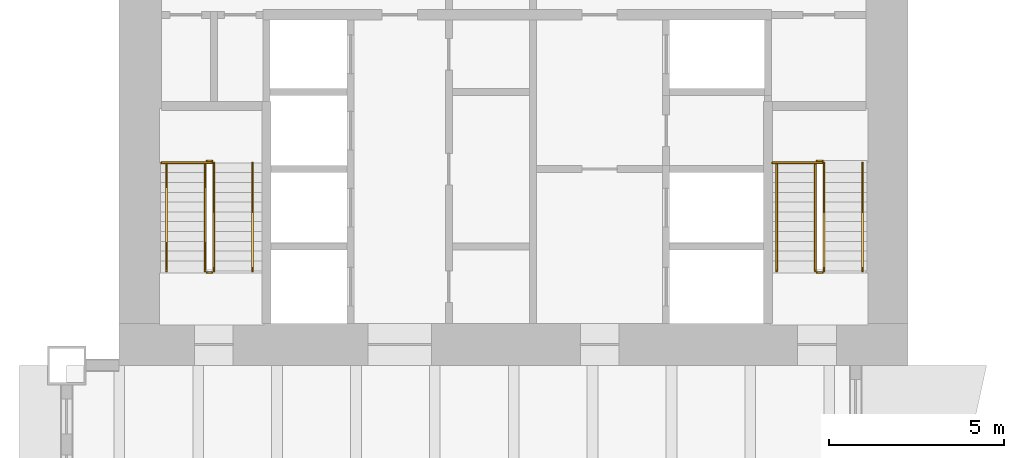
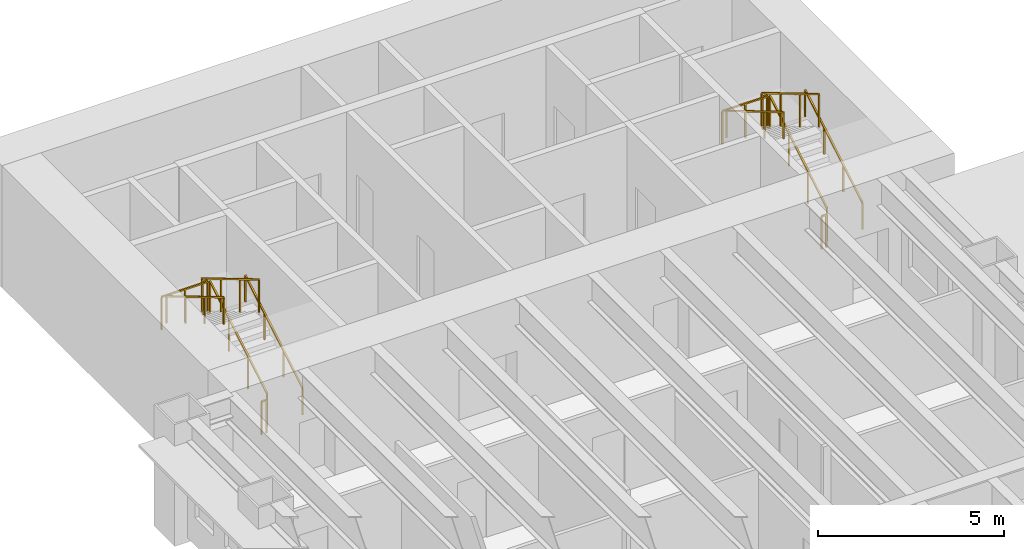
# One storey, part 17 of 17: 14 railings.
"""IFC4 building model written with IfcOpenShell, lengths in metres."""

from ifc_helpers import new_model, si_unit, direction, frame, origin, origin_2d, place, context, subcontext, project, spatial, rectangle, extrude, material, type_object, element, save


model = new_model("IFC4")

# Units and contexts
model_context = context("Model", 3, precision=1e-05, world=origin(), true_north=direction((0.0, 1.0)))
body_context = subcontext(model_context, "Body", "Model", "MODEL_VIEW")
ifc_project = project(units=[si_unit("LENGTHUNIT", "METRE"), si_unit("AREAUNIT", "SQUARE_METRE"), si_unit("VOLUMEUNIT", "CUBIC_METRE"), si_unit("PLANEANGLEUNIT", "RADIAN"), si_unit("MASSUNIT", "GRAM", prefix="KILO")], contexts=[model_context])

# Site, building, storey
site_placement = place(None, origin())
site = spatial("IfcSite", under=ifc_project, at=site_placement, CompositionType="ELEMENT")
building_placement = place(site_placement, origin())
building = spatial("IfcBuilding", under=site, at=building_placement, Name="Sennacour Bend Tower", CompositionType="ELEMENT")
storey_placement = place(building_placement, frame((0.0, 0.0, 49.0)))
storey = spatial("IfcBuildingStorey", under=building, at=storey_placement, Name="L10", CompositionType="ELEMENT", Elevation=49.0)

# Railings
ifc_material = material(Name="Stainless steel", Category="steel")
railing_type_1 = type_object("IfcRailingType", Name="RL-GUARD-1100", PredefinedType="GUARDRAIL", material=ifc_material)
railing_1_placement = place(storey_placement, frame((2.699951171875, 38.699951171875, 0.166748046875)))
element("IfcRailing", 1, at=railing_1_placement, inside=storey, type_object=railing_type_1, Name="L10 SB1 stair guard 1", PredefinedType="GUARDRAIL", context=body_context, shape_type="SweptSolid", body=[
    extrude(rectangle(XDim=0.048095703125, YDim=0.048095703125, at=origin_2d()), frame((0.0, 0.0, 1.076171875), z_axis=(0.0, 0.859308565015, 0.511457515432), x_axis=(-1.0, 0.0, 0.0)), (0.0, 0.0, 1.0), 3.58447265625),
    extrude(rectangle(XDim=0.0419921875, YDim=0.0419921875, at=origin_2d()), origin(), (0.0, 0.0, 1.0), 1.052001953125),
    extrude(rectangle(XDim=0.0419921875, YDim=0.0419921875, at=origin_2d()), frame((0.0, 1.026611328125, 0.611083984375)), (0.0, 0.0, 1.0), 1.052001953125),
    extrude(rectangle(XDim=0.0419921875, YDim=0.0419921875, at=origin_2d()), frame((0.0, 2.053466796875, 1.22216796875)), (0.0, 0.0, 1.0), 1.052001953125),
    extrude(rectangle(XDim=0.0419921875, YDim=0.0419921875, at=origin_2d()), frame((0.0, 3.080078125, 1.833251953125)), (0.0, 0.0, 1.0), 1.052001953125),
])
railing_2_placement = place(storey_placement, frame((2.64990234375, 41.830078125, 2.0)))
element("IfcRailing", 2, at=railing_2_placement, inside=storey, type_object=railing_type_1, Name="L10 SB1 stair guard 2", PredefinedType="GUARDRAIL", context=body_context, shape_type="SweptSolid", body=[
    extrude(rectangle(XDim=0.048095703125, YDim=0.048095703125, at=origin_2d()), frame((0.0, 0.0, 1.076171875), z_axis=(-1.0, 0.0, 0.0), x_axis=(0.0, -1.0, 0.0)), (0.0, 0.0, 1.0), 0.14990234375),
    extrude(rectangle(XDim=0.0419921875, YDim=0.0419921875, at=origin_2d()), origin(), (0.0, 0.0, 1.0), 1.052001953125),
    extrude(rectangle(XDim=0.0419921875, YDim=0.0419921875, at=origin_2d()), frame((-0.14990234375, 0.0, 0.0)), (0.0, 0.0, 1.0), 1.052001953125),
])
railing_3_placement = place(storey_placement, frame((2.449951171875, 41.780029296875, 2.166748046875)))
element("IfcRailing", 3, at=railing_3_placement, inside=storey, type_object=railing_type_1, Name="L10 SB1 stair guard 4", PredefinedType="GUARDRAIL", context=body_context, shape_type="SweptSolid", body=[
    extrude(rectangle(XDim=0.048095703125, YDim=0.048095703125, at=origin_2d()), frame((0.0, 0.0, 1.076171875), z_axis=(0.0, -0.859308565015, 0.511457515432), x_axis=(1.0, 0.0, 0.0)), (0.0, 0.0, 1.0), 3.58447265625),
    extrude(rectangle(XDim=0.0419921875, YDim=0.0419921875, at=origin_2d()), origin(), (0.0, 0.0, 1.0), 1.052001953125),
    extrude(rectangle(XDim=0.0419921875, YDim=0.0419921875, at=origin_2d()), frame((0.0, -1.026611328125, 0.611083984375)), (0.0, 0.0, 1.0), 1.052001953125),
    extrude(rectangle(XDim=0.0419921875, YDim=0.0419921875, at=origin_2d()), frame((0.0, -2.053466796875, 1.22216796875)), (0.0, 0.0, 1.0), 1.052001953125),
    extrude(rectangle(XDim=0.0419921875, YDim=0.0419921875, at=origin_2d()), frame((0.0, -3.080078125, 1.833251953125)), (0.0, 0.0, 1.0), 1.052001953125),
])
railing_4_placement = place(storey_placement, frame((2.64990234375, 38.64990234375, 0.0)))
element("IfcRailing", 4, at=railing_4_placement, inside=storey, type_object=railing_type_1, Name="L10 SB1 stair guard 5", PredefinedType="GUARDRAIL", context=body_context, shape_type="SweptSolid", body=[
    extrude(rectangle(XDim=0.048095703125, YDim=0.048095703125, at=origin_2d()), frame((0.0, 0.0, 1.076171875), z_axis=(-1.0, 0.0, 0.0), x_axis=(0.0, -1.0, 0.0)), (0.0, 0.0, 1.0), 0.14990234375),
    extrude(rectangle(XDim=0.0419921875, YDim=0.0419921875, at=origin_2d()), origin(), (0.0, 0.0, 1.0), 1.052001953125),
    extrude(rectangle(XDim=0.0419921875, YDim=0.0419921875, at=origin_2d()), frame((-0.14990234375, 0.0, 0.0)), (0.0, 0.0, 1.0), 1.052001953125),
])
railing_5_placement = place(storey_placement, frame((2.64990234375, 41.780029296875, 2.0)))
element("IfcRailing", 5, at=railing_5_placement, inside=storey, type_object=railing_type_1, Name="L10 SB1 landing edge guard 29", PredefinedType="GUARDRAIL", context=body_context, shape_type="SweptSolid", body=[
    extrude(rectangle(XDim=0.048095703125, YDim=0.048095703125, at=origin_2d()), frame((0.0, 0.0, 1.076171875), z_axis=(-1.0, 0.0, 0.0), x_axis=(0.0, -1.0, 0.0)), (0.0, 0.0, 1.0), 1.449951171875),
    extrude(rectangle(XDim=0.0419921875, YDim=0.0419921875, at=origin_2d()), origin(), (0.0, 0.0, 1.0), 1.052001953125),
    extrude(rectangle(XDim=0.0419921875, YDim=0.0419921875, at=origin_2d()), frame((-0.72509765625, 0.0, 0.0)), (0.0, 0.0, 1.0), 1.052001953125),
    extrude(rectangle(XDim=0.0419921875, YDim=0.0419921875, at=origin_2d()), frame((-1.449951171875, 0.0, 0.0)), (0.0, 0.0, 1.0), 1.052001953125),
])
railing_6_placement = place(storey_placement, frame((20.10009765625, 38.699951171875, 0.166748046875)))
element("IfcRailing", 6, at=railing_6_placement, inside=storey, type_object=railing_type_1, Name="L10 SB2 stair guard 1", PredefinedType="GUARDRAIL", context=body_context, shape_type="SweptSolid", body=[
    extrude(rectangle(XDim=0.048095703125, YDim=0.048095703125, at=origin_2d()), frame((0.0, 0.0, 1.076171875), z_axis=(0.0, 0.859308565015, 0.511457515432), x_axis=(-1.0, 0.0, 0.0)), (0.0, 0.0, 1.0), 3.58447265625),
    extrude(rectangle(XDim=0.0419921875, YDim=0.0419921875, at=origin_2d()), origin(), (0.0, 0.0, 1.0), 1.052001953125),
    extrude(rectangle(XDim=0.0419921875, YDim=0.0419921875, at=origin_2d()), frame((0.0, 1.026611328125, 0.611083984375)), (0.0, 0.0, 1.0), 1.052001953125),
    extrude(rectangle(XDim=0.0419921875, YDim=0.0419921875, at=origin_2d()), frame((0.0, 2.053466796875, 1.22216796875)), (0.0, 0.0, 1.0), 1.052001953125),
    extrude(rectangle(XDim=0.0419921875, YDim=0.0419921875, at=origin_2d()), frame((0.0, 3.080078125, 1.833251953125)), (0.0, 0.0, 1.0), 1.052001953125),
])
railing_7_placement = place(storey_placement, frame((20.050048828125, 41.830078125, 2.0)))
element("IfcRailing", 7, at=railing_7_placement, inside=storey, type_object=railing_type_1, Name="L10 SB2 stair guard 2", PredefinedType="GUARDRAIL", context=body_context, shape_type="SweptSolid", body=[
    extrude(rectangle(XDim=0.048095703125, YDim=0.048095703125, at=origin_2d()), frame((0.0, 0.0, 1.076171875), z_axis=(-1.0, 0.0, 0.0), x_axis=(0.0, -1.0, 0.0)), (0.0, 0.0, 1.0), 0.150146484375),
    extrude(rectangle(XDim=0.0419921875, YDim=0.0419921875, at=origin_2d()), origin(), (0.0, 0.0, 1.0), 1.052001953125),
    extrude(rectangle(XDim=0.0419921875, YDim=0.0419921875, at=origin_2d()), frame((-0.150146484375, 0.0, 0.0)), (0.0, 0.0, 1.0), 1.052001953125),
])
railing_8_placement = place(storey_placement, frame((19.85009765625, 41.780029296875, 2.166748046875)))
element("IfcRailing", 8, at=railing_8_placement, inside=storey, type_object=railing_type_1, Name="L10 SB2 stair guard 4", PredefinedType="GUARDRAIL", context=body_context, shape_type="SweptSolid", body=[
    extrude(rectangle(XDim=0.048095703125, YDim=0.048095703125, at=origin_2d()), frame((0.0, 0.0, 1.076171875), z_axis=(0.0, -0.859308565015, 0.511457515432), x_axis=(1.0, 0.0, 0.0)), (0.0, 0.0, 1.0), 3.58447265625),
    extrude(rectangle(XDim=0.0419921875, YDim=0.0419921875, at=origin_2d()), origin(), (0.0, 0.0, 1.0), 1.052001953125),
    extrude(rectangle(XDim=0.0419921875, YDim=0.0419921875, at=origin_2d()), frame((0.0, -1.026611328125, 0.611083984375)), (0.0, 0.0, 1.0), 1.052001953125),
    extrude(rectangle(XDim=0.0419921875, YDim=0.0419921875, at=origin_2d()), frame((0.0, -2.053466796875, 1.22216796875)), (0.0, 0.0, 1.0), 1.052001953125),
    extrude(rectangle(XDim=0.0419921875, YDim=0.0419921875, at=origin_2d()), frame((0.0, -3.080078125, 1.833251953125)), (0.0, 0.0, 1.0), 1.052001953125),
])
railing_9_placement = place(storey_placement, frame((20.050048828125, 38.64990234375, 0.0)))
element("IfcRailing", 9, at=railing_9_placement, inside=storey, type_object=railing_type_1, Name="L10 SB2 stair guard 5", PredefinedType="GUARDRAIL", context=body_context, shape_type="SweptSolid", body=[
    extrude(rectangle(XDim=0.048095703125, YDim=0.048095703125, at=origin_2d()), frame((0.0, 0.0, 1.076171875), z_axis=(-1.0, 0.0, 0.0), x_axis=(0.0, -1.0, 0.0)), (0.0, 0.0, 1.0), 0.150146484375),
    extrude(rectangle(XDim=0.0419921875, YDim=0.0419921875, at=origin_2d()), origin(), (0.0, 0.0, 1.0), 1.052001953125),
    extrude(rectangle(XDim=0.0419921875, YDim=0.0419921875, at=origin_2d()), frame((-0.150146484375, 0.0, 0.0)), (0.0, 0.0, 1.0), 1.052001953125),
])
railing_10_placement = place(storey_placement, frame((20.050048828125, 41.780029296875, 2.0)))
element("IfcRailing", 10, at=railing_10_placement, inside=storey, type_object=railing_type_1, Name="L10 SB2 landing edge guard 21", PredefinedType="GUARDRAIL", context=body_context, shape_type="SweptSolid", body=[
    extrude(rectangle(XDim=0.048095703125, YDim=0.048095703125, at=origin_2d()), frame((0.0, 0.0, 1.076171875), z_axis=(-1.0, 0.0, 0.0), x_axis=(0.0, -1.0, 0.0)), (0.0, 0.0, 1.0), 1.425048828125),
    extrude(rectangle(XDim=0.0419921875, YDim=0.0419921875, at=origin_2d()), origin(), (0.0, 0.0, 1.0), 1.052001953125),
    extrude(rectangle(XDim=0.0419921875, YDim=0.0419921875, at=origin_2d()), frame((-0.71240234375, 0.0, 0.0)), (0.0, 0.0, 1.0), 1.052001953125),
    extrude(rectangle(XDim=0.0419921875, YDim=0.0419921875, at=origin_2d()), frame((-1.425048828125, 0.0, 0.0)), (0.0, 0.0, 1.0), 1.052001953125),
])
railing_type_2 = type_object("IfcRailingType", Name="RL-HANDRAIL-900", PredefinedType="HANDRAIL", material=ifc_material)
railing_11_placement = place(storey_placement, frame((3.800048828125, 38.699951171875, 0.166748046875)))
element("IfcRailing", 11, at=railing_11_placement, inside=storey, type_object=railing_type_2, Name="L10 SB1 stair handrail 1", PredefinedType="HANDRAIL", context=body_context, shape_type="SweptSolid", body=[
    extrude(rectangle(XDim=0.048095703125, YDim=0.048095703125, at=origin_2d()), frame((0.0, 0.0, 0.8759765625), z_axis=(0.0, 0.859308565015, 0.511457515432), x_axis=(-1.0, 0.0, 0.0)), (0.0, 0.0, 1.0), 3.58447265625),
    extrude(rectangle(XDim=0.0419921875, YDim=0.0419921875, at=origin_2d()), origin(), (0.0, 0.0, 1.0), 0.851806640625),
    extrude(rectangle(XDim=0.0419921875, YDim=0.0419921875, at=origin_2d()), frame((0.0, 1.026611328125, 0.611083984375)), (0.0, 0.0, 1.0), 0.851806640625),
    extrude(rectangle(XDim=0.0419921875, YDim=0.0419921875, at=origin_2d()), frame((0.0, 2.053466796875, 1.22216796875)), (0.0, 0.0, 1.0), 0.851806640625),
    extrude(rectangle(XDim=0.0419921875, YDim=0.0419921875, at=origin_2d()), frame((0.0, 3.080078125, 1.833251953125)), (0.0, 0.0, 1.0), 0.851806640625),
])
railing_12_placement = place(storey_placement, frame((1.35009765625, 41.780029296875, 2.166748046875)))
element("IfcRailing", 12, at=railing_12_placement, inside=storey, type_object=railing_type_2, Name="L10 SB1 stair handrail 2", PredefinedType="HANDRAIL", context=body_context, shape_type="SweptSolid", body=[
    extrude(rectangle(XDim=0.048095703125, YDim=0.048095703125, at=origin_2d()), frame((0.0, 0.0, 0.8759765625), z_axis=(0.0, -0.859308565015, 0.511457515432), x_axis=(1.0, 0.0, 0.0)), (0.0, 0.0, 1.0), 3.58447265625),
    extrude(rectangle(XDim=0.0419921875, YDim=0.0419921875, at=origin_2d()), origin(), (0.0, 0.0, 1.0), 0.851806640625),
    extrude(rectangle(XDim=0.0419921875, YDim=0.0419921875, at=origin_2d()), frame((0.0, -1.026611328125, 0.611083984375)), (0.0, 0.0, 1.0), 0.851806640625),
    extrude(rectangle(XDim=0.0419921875, YDim=0.0419921875, at=origin_2d()), frame((0.0, -2.053466796875, 1.22216796875)), (0.0, 0.0, 1.0), 0.851806640625),
    extrude(rectangle(XDim=0.0419921875, YDim=0.0419921875, at=origin_2d()), frame((0.0, -3.080078125, 1.833251953125)), (0.0, 0.0, 1.0), 0.851806640625),
])
railing_13_placement = place(storey_placement, frame((21.199951171875, 38.699951171875, 0.166748046875)))
element("IfcRailing", 13, at=railing_13_placement, inside=storey, type_object=railing_type_2, Name="L10 SB2 stair handrail 1", PredefinedType="HANDRAIL", context=body_context, shape_type="SweptSolid", body=[
    extrude(rectangle(XDim=0.048095703125, YDim=0.048095703125, at=origin_2d()), frame((0.0, 0.0, 0.8759765625), z_axis=(0.0, 0.859308565015, 0.511457515432), x_axis=(-1.0, 0.0, 0.0)), (0.0, 0.0, 1.0), 3.58447265625),
    extrude(rectangle(XDim=0.0419921875, YDim=0.0419921875, at=origin_2d()), origin(), (0.0, 0.0, 1.0), 0.851806640625),
    extrude(rectangle(XDim=0.0419921875, YDim=0.0419921875, at=origin_2d()), frame((0.0, 1.026611328125, 0.611083984375)), (0.0, 0.0, 1.0), 0.851806640625),
    extrude(rectangle(XDim=0.0419921875, YDim=0.0419921875, at=origin_2d()), frame((0.0, 2.053466796875, 1.22216796875)), (0.0, 0.0, 1.0), 0.851806640625),
    extrude(rectangle(XDim=0.0419921875, YDim=0.0419921875, at=origin_2d()), frame((0.0, 3.080078125, 1.833251953125)), (0.0, 0.0, 1.0), 0.851806640625),
])
railing_14_placement = place(storey_placement, frame((18.75, 41.780029296875, 2.166748046875)))
element("IfcRailing", 14, at=railing_14_placement, inside=storey, type_object=railing_type_2, Name="L10 SB2 stair handrail 2", PredefinedType="HANDRAIL", context=body_context, shape_type="SweptSolid", body=[
    extrude(rectangle(XDim=0.048095703125, YDim=0.048095703125, at=origin_2d()), frame((0.0, 0.0, 0.8759765625), z_axis=(0.0, -0.859308565015, 0.511457515432), x_axis=(1.0, 0.0, 0.0)), (0.0, 0.0, 1.0), 3.58447265625),
    extrude(rectangle(XDim=0.0419921875, YDim=0.0419921875, at=origin_2d()), origin(), (0.0, 0.0, 1.0), 0.851806640625),
    extrude(rectangle(XDim=0.0419921875, YDim=0.0419921875, at=origin_2d()), frame((0.0, -1.026611328125, 0.611083984375)), (0.0, 0.0, 1.0), 0.851806640625),
    extrude(rectangle(XDim=0.0419921875, YDim=0.0419921875, at=origin_2d()), frame((0.0, -2.053466796875, 1.22216796875)), (0.0, 0.0, 1.0), 0.851806640625),
    extrude(rectangle(XDim=0.0419921875, YDim=0.0419921875, at=origin_2d()), frame((0.0, -3.080078125, 1.833251953125)), (0.0, 0.0, 1.0), 0.851806640625),
])

save(model, "model.ifc")
